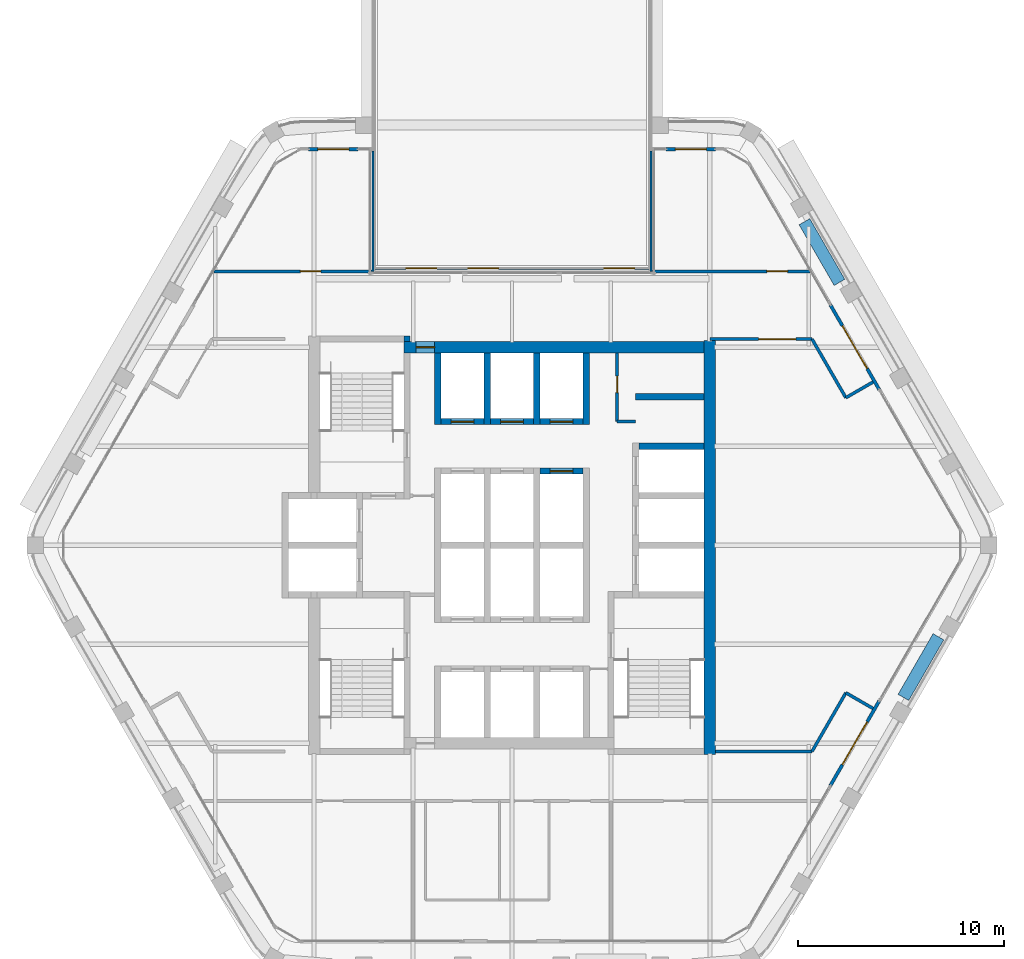
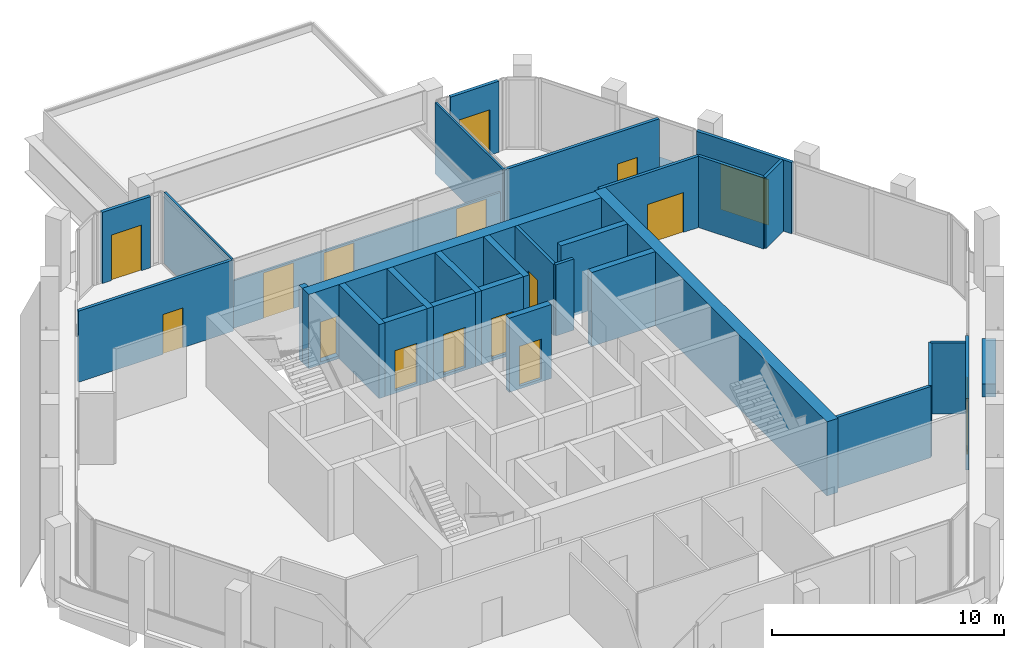
# One storey, part 12 of 16: 32 walls, 16 doors, 16 openings.
"""IFC4 building model written with IfcOpenShell, lengths in metres."""

import ifcopenshell
import ifcopenshell.guid

model = None  # the IFC model being written
_history = None  # IfcOwnerHistory: only IFC2X3 demands one
_inside = {}  # id of a spatial element -> (the spatial element, [elements in it])
_under = {}  # id of a project, library or spatial element -> (it, [spatial elements below it])
_declared = {}  # id of a project -> (the project, [libraries it declares])
_typed = {}  # id of a type object -> (the type object, [elements of that type])
_made_of = {}  # id of a material, layer set ... -> (it, [elements and type objects made of it])


def new_model(schema):
    """Start an empty IFC model of exactly this schema.

    Asked for "IFC4X3", IfcOpenShell would pick the latest addendum, in which some entities
    have other attributes; the version numbers below select the first issue.
    IFC2X3 requires an IfcOwnerHistory on every rooted entity: one is made here for all.
    """
    global model, _history
    if schema == "IFC4X3":
        model = ifcopenshell.file(schema_version=(4, 3, 0, 0))
    else:
        model = ifcopenshell.file(schema=schema)
    _inside.clear()
    _under.clear()
    _declared.clear()
    _typed.clear()
    _made_of.clear()
    _history = None
    if model.schema == "IFC2X3":
        org = make("IfcOrganization", Name="unknown")
        user = make(
            "IfcPersonAndOrganization",
            ThePerson=make("IfcPerson", FamilyName="unknown"),
            TheOrganization=org,
        )
        app = make(
            "IfcApplication",
            ApplicationDeveloper=org,
            Version="unknown",
            ApplicationFullName="unknown",
            ApplicationIdentifier="unknown",
        )
        _history = make(
            "IfcOwnerHistory",
            OwningUser=user,
            OwningApplication=app,
            ChangeAction="ADDED",
            CreationDate=0,
        )
    return model


def make(cls, **values):
    """One entity of the class cls with the attributes given. An attribute that is None is left unset."""
    return model.create_entity(
        cls, **{name: value for name, value in values.items() if value is not None}
    )


def rooted(cls, **values):
    """An entity with a GlobalId (a new one), such as an element, a storey or a relation."""
    return make(cls, GlobalId=ifcopenshell.guid.new(), OwnerHistory=_history, **values)


def si_unit(unit_type, name, prefix=None):
    """IfcSIUnit, for example si_unit("LENGTHUNIT", "METRE", prefix="MILLI")."""
    return make("IfcSIUnit", UnitType=unit_type, Prefix=prefix, Name=name)


def assignment(units):
    """IfcUnitAssignment: the units of a project."""
    return None if units is None else make("IfcUnitAssignment", Units=units)


def point(xyz):
    """IfcCartesianPoint."""
    return None if xyz is None else make("IfcCartesianPoint", Coordinates=xyz)


def direction(xyz):
    """IfcDirection."""
    return None if xyz is None else make("IfcDirection", DirectionRatios=xyz)


def frame(location, z_axis=None, x_axis=None):
    """IfcAxis2Placement3D, a coordinate frame: its origin and axes. An axis left out is left unset."""
    return make(
        "IfcAxis2Placement3D",
        Location=point(location),
        Axis=direction(z_axis),
        RefDirection=direction(x_axis),
    )


def frame_2d(location, x_axis=None):
    """IfcAxis2Placement2D, a coordinate frame in the plane: its origin and x axis."""
    return make(
        "IfcAxis2Placement2D", Location=point(location), RefDirection=direction(x_axis)
    )


def origin():
    """The frame at (0, 0, 0) with its axes left unset."""
    return frame((0.0, 0.0, 0.0))


def place(relative_to, where):
    """IfcLocalPlacement: puts the frame where relative to a parent placement (None: the world)."""
    return make(
        "IfcLocalPlacement", PlacementRelTo=relative_to, RelativePlacement=where
    )


def context(
    kind, dimensions, precision=None, world=None, true_north=None, identifier=None
):
    """IfcGeometricRepresentationContext, for example the 3D "Model" context."""
    return make(
        "IfcGeometricRepresentationContext",
        ContextIdentifier=identifier,
        ContextType=kind,
        CoordinateSpaceDimension=dimensions,
        Precision=precision,
        WorldCoordinateSystem=world,
        TrueNorth=true_north,
    )


def subcontext(parent, identifier, kind, view, scale=None):
    """IfcGeometricRepresentationSubContext, for example "Body" below "Model"."""
    return make(
        "IfcGeometricRepresentationSubContext",
        ContextIdentifier=identifier,
        ContextType=kind,
        ParentContext=parent,
        TargetScale=scale,
        TargetView=view,
    )


def project(units=None, contexts=None):
    """IfcProject with its units and contexts."""
    return rooted(
        "IfcProject",
        Name="project",
        RepresentationContexts=contexts,
        UnitsInContext=assignment(units),
    )


def spatial(cls, under=None, at=None, **own):
    """A site, building, storey or space (cls), placed at a placement, below another one or the project."""
    s = rooted(cls, ObjectPlacement=at, **own)
    if under is not None:
        _under.setdefault(under.id(), (under, []))[1].append(s)
    return s


def profile(cls, at=None, kind="AREA", **sizes):
    """A parametric profile (cls). Its sizes go by their IFC names, for example OverallWidth=200.0."""
    return make(cls, ProfileType=kind, Position=at, **sizes)


def rectangle(**sizes):
    """IfcRectangleProfileDef."""
    return profile("IfcRectangleProfileDef", **sizes)


def extrude(swept, where, along, depth):
    """IfcExtrudedAreaSolid: the profile swept, set in the frame where, extruded along a direction by depth."""
    return make(
        "IfcExtrudedAreaSolid",
        SweptArea=swept,
        Position=where,
        ExtrudedDirection=direction(along),
        Depth=depth,
    )


def shape(context_of_items, identifier, shape_type, items):
    """IfcShapeRepresentation: the items that make up one representation, for example the "Body"."""
    return make(
        "IfcShapeRepresentation",
        ContextOfItems=context_of_items,
        RepresentationIdentifier=identifier,
        RepresentationType=shape_type,
        Items=items,
    )


def material(Name=None, Category=None):
    """IfcMaterial."""
    return make("IfcMaterial", Name=Name, Category=Category)


def layer(
    of_material, thickness, ventilated=None, Name=None, Category=None, Priority=None
):
    """IfcMaterialLayer: one layer of a wall or slab, of a material (None: an air gap)."""
    return make(
        "IfcMaterialLayer",
        Material=of_material,
        LayerThickness=thickness,
        IsVentilated=ventilated,
        Name=Name,
        Category=Category,
        Priority=Priority,
    )


def layer_set(layers, Name=None):
    """IfcMaterialLayerSet."""
    return make("IfcMaterialLayerSet", MaterialLayers=layers, LayerSetName=Name)


def made_of(thing, what):
    """Note that an element or type object is made of a material, layer set ...; save() writes the relation."""
    if what is not None:
        _made_of.setdefault(what.id(), (what, []))[1].append(thing)
    return thing


def type_object(cls, material=None, **own):
    """A type object (cls), such as IfcWallType, which elements share."""
    return made_of(rooted(cls, **own), material)


def element(
    cls,
    number,
    at=None,
    inside=None,
    cuts=None,
    type_object=None,
    material=None,
    context=None,
    identifier="Body",
    shape_type=None,
    held_by="IfcProductDefinitionShape",
    body=None,
    shapes=None,
    **own,
):
    """One element of the class cls, such as IfcWall. Its Tag is "e" and its number.

    at: its placement. inside: the storey or other place that contains it. cuts: it is an
    opening in that element (IfcRelVoidsElement). A single representation is given by context,
    identifier, shape_type and body (its items); several are given by shapes. held_by: the class
    of the entity that holds the representations. save() writes the other relations.
    """
    e = rooted(cls, Tag="e%d" % number, ObjectPlacement=at, **own)
    if body is not None:
        shapes = [shape(context, identifier, shape_type, body)]
    if shapes is not None:
        e.Representation = make(held_by, Representations=shapes)
    if inside is not None:
        _inside.setdefault(inside.id(), (inside, []))[1].append(e)
    if cuts is not None:
        rooted(
            "IfcRelVoidsElement", RelatingBuildingElement=cuts, RelatedOpeningElement=e
        )
    if type_object is not None:
        _typed.setdefault(type_object.id(), (type_object, []))[1].append(e)
    return made_of(e, material)


def fill(opening, filler):
    """IfcRelFillsElement: the door or window that sits in an opening."""
    return rooted(
        "IfcRelFillsElement",
        RelatingOpeningElement=opening,
        RelatedBuildingElement=filler,
    )


def aggregate(whole, parts):
    """IfcRelAggregates: a whole, such as a stair, and the parts it consists of."""
    return rooted("IfcRelAggregates", RelatingObject=whole, RelatedObjects=parts)


def save(model, path):
    """Write the relations noted so far, then the file.

    IfcRelAggregates (storeys below a building ...), IfcRelContainedInSpatialStructure (elements
    in a storey), IfcRelDefinesByType, IfcRelAssociatesMaterial and IfcRelDeclares: one each for
    every whole, place, type object, material and project.
    """
    for whole, parts in _under.values():
        aggregate(whole, parts)
    for where, things in _inside.values():
        rooted(
            "IfcRelContainedInSpatialStructure",
            RelatedElements=things,
            RelatingStructure=where,
        )
    for kind, things in _typed.values():
        rooted("IfcRelDefinesByType", RelatedObjects=things, RelatingType=kind)
    for what, things in _made_of.values():
        rooted("IfcRelAssociatesMaterial", RelatedObjects=things, RelatingMaterial=what)
    for by, libraries in _declared.values():
        rooted("IfcRelDeclares", RelatingContext=by, RelatedDefinitions=libraries)
    model.write(path)


model = new_model("IFC4")

# Units and contexts
model_context = context("Model", 3, precision=1e-05, world=origin(), true_north=direction((0.0, 1.0)))
body_context = subcontext(model_context, "Body", "Model", "MODEL_VIEW")
ifc_project = project(units=[si_unit("LENGTHUNIT", "METRE"), si_unit("AREAUNIT", "SQUARE_METRE"), si_unit("VOLUMEUNIT", "CUBIC_METRE"), si_unit("PLANEANGLEUNIT", "RADIAN"), si_unit("MASSUNIT", "GRAM", prefix="KILO")], contexts=[model_context])

# Site, building, storey
site_placement = place(None, origin())
site = spatial("IfcSite", under=ifc_project, at=site_placement, CompositionType="ELEMENT")
building_placement = place(site_placement, origin())
building = spatial("IfcBuilding", under=site, at=building_placement, Name="Kolab Exchange Tower", CompositionType="ELEMENT")
storey_placement = place(building_placement, frame((0.0, 0.0, 269.60009765625)))
storey = spatial("IfcBuildingStorey", under=building, at=storey_placement, Name="L60", CompositionType="ELEMENT", Elevation=269.60009765625)

# Wall, opening, door
ifc_material_1 = material(Name="Concrete C50/60", Category="concrete")
ifc_layer_1 = layer(ifc_material_1, 0.550048828125)
ifc_layer_set_1 = layer_set([ifc_layer_1], Name="Concrete C50/60")
wall_type_1 = type_object("IfcWallType", Name="CORE WALL 550 C50/60", PredefinedType="SHEAR", material=ifc_layer_set_1)
wall_1_placement = place(storey_placement, frame((-5.25, 9.60009765625, -0.150146484375), z_axis=(0.0, 0.0, 1.0), x_axis=(1.0, 0.0, 0.0)))
wall_1 = element("IfcWall", 1, at=wall_1_placement, inside=storey, type_object=wall_type_1, Name="wall/L60/core/031", PredefinedType="SHEAR", context=body_context, shape_type="SweptSolid", body=[
    extrude(rectangle(XDim=14.574951171875, YDim=0.550048828125, at=frame_2d((7.28759765625, 0.0))), origin(), (0.0, 0.0, 1.0), 3.900146484375),
])
opening_1_placement = place(wall_1_placement, frame((0.60009765625, 0.0, 0.14990234375)))
opening_1 = element("IfcOpeningElement", 2, at=opening_1_placement, cuts=wall_1, Name="Opening D6-295", PredefinedType="OPENING", context=body_context, shape_type="SweptSolid", body=[
    extrude(rectangle(XDim=0.89990234375, YDim=2.10009765625, at=frame_2d((0.449951171875, 1.050048828125))), frame((0.0, 0.28515625, 0.0), z_axis=(0.0, -1.0, 0.0), x_axis=(1.0, 0.0, 0.0)), (0.0, 0.0, 1.0), 0.570068359375),
])
ifc_material_2 = material(Name="Steel S235", Category="steel")
door_type_1 = type_object("IfcDoorType", Name="CORE DOOR 900 EI 120", OperationType="SINGLE_SWING_LEFT", PredefinedType="DOOR", material=ifc_material_2)
door_1_placement = place(opening_1_placement, frame((0.89990234375, 0.0, 0.0), z_axis=(0.0, 0.0, 1.0), x_axis=(-1.0, 0.0, 0.0)))
door_1 = element("IfcDoor", 3, at=door_1_placement, inside=storey, type_object=door_type_1, Name="Core lobby door", OperationType="SINGLE_SWING_RIGHT", OverallHeight=2.10009765625, OverallWidth=0.89990234375, PredefinedType="DOOR", context=body_context, shape_type="SweptSolid", body=[
    extrude(rectangle(XDim=0.89990234375, YDim=2.10009765625, at=frame_2d((0.449951171875, 1.050048828125))), frame((0.0, 0.02490234375, 0.0), z_axis=(0.0, -1.0, 0.0), x_axis=(1.0, 0.0, 0.0)), (0.0, 0.0, 1.0), 0.050048828125),
])
fill(opening_1, door_1)

# Wall
wall_2_placement = place(storey_placement, frame((9.60009765625, -10.14990234375, -0.150146484375), z_axis=(0.0, 0.0, 1.0), x_axis=(0.0, 1.0, 0.0)))
element("IfcWall", 4, at=wall_2_placement, inside=storey, type_object=wall_type_1, Name="wall/L60/core/058", PredefinedType="SHEAR", context=body_context, shape_type="SweptSolid", body=[
    extrude(rectangle(XDim=20.074951171875, YDim=0.550048828125, at=frame_2d((10.03759765625, 0.0))), origin(), (0.0, 0.0, 1.0), 3.900146484375),
])

# Wall, opening, door
ifc_material_3 = material(Name="Aluminium EN AW-6063 T6", Category="aluminium")
ifc_layer_2 = layer(ifc_material_3, 0.159912109375)
ifc_layer_set_2 = layer_set([ifc_layer_2], Name="Aluminium EN AW-6063 T6")
wall_type_2 = type_object("IfcWallType", Name="DOOR SURROUND WALL 160 ALUMINIUM FRAMED", PredefinedType="PARTITIONING", material=ifc_layer_set_2)
wall_3_placement = place(storey_placement, frame((-9.867919921875, 19.20458984375, 0.0), z_axis=(0.0, 0.0, 1.0), x_axis=(1.0, 0.0, 0.0)))
wall_3 = element("IfcWall", 5, at=wall_3_placement, inside=storey, type_object=wall_type_2, Name="Door surround wall", PredefinedType="PARTITIONING", context=body_context, shape_type="SweptSolid", body=[
    extrude(rectangle(XDim=2.39990234375, YDim=0.159912109375, at=frame_2d((1.199951171875, 0.0))), origin(), (0.0, 0.0, 1.0), 3.75),
])
opening_2_placement = place(wall_3_placement, frame((0.449951171875, 0.0, 0.0)))
opening_2 = element("IfcOpeningElement", 6, at=opening_2_placement, cuts=wall_3, Name="Opening GD2-013", PredefinedType="OPENING", context=body_context, shape_type="SweptSolid", body=[
    extrude(rectangle(XDim=1.5, YDim=2.39990234375, at=frame_2d((0.75, 1.199951171875))), frame((0.0, 0.08984375, 0.0), z_axis=(0.0, -1.0, 0.0), x_axis=(1.0, 0.0, 0.0)), (0.0, 0.0, 1.0), 0.179931640625),
])
door_type_2 = type_object("IfcDoorType", Name="LOGGIA SLIDING GLASS DOOR 1500 X 2400", OperationType="SLIDING_TO_LEFT", PredefinedType="DOOR", material=ifc_material_3)
door_2_placement = place(opening_2_placement, origin())
door_2 = element("IfcDoor", 7, at=door_2_placement, inside=storey, type_object=door_type_2, Name="Loggia door", OperationType="DOUBLE_DOOR_SLIDING", OverallHeight=2.39990234375, OverallWidth=1.5, PredefinedType="DOOR", context=body_context, shape_type="SweptSolid", body=[
    extrude(rectangle(XDim=1.5, YDim=2.39990234375, at=frame_2d((0.75, 1.199951171875))), frame((0.0, 0.02490234375, 0.0), z_axis=(0.0, -1.0, 0.0), x_axis=(1.0, 0.0, 0.0)), (0.0, 0.0, 1.0), 0.050048828125),
])
fill(opening_2, door_2)

wall_4_placement = place(storey_placement, frame((7.47998046875, 19.20458984375, 0.0), z_axis=(0.0, 0.0, 1.0), x_axis=(1.0, 0.0, 0.0)))
wall_4 = element("IfcWall", 8, at=wall_4_placement, inside=storey, type_object=wall_type_2, Name="Door surround wall", PredefinedType="PARTITIONING", context=body_context, shape_type="SweptSolid", body=[
    extrude(rectangle(XDim=2.39990234375, YDim=0.159912109375, at=frame_2d((1.199951171875, 0.0))), origin(), (0.0, 0.0, 1.0), 3.75),
])
opening_3_placement = place(wall_4_placement, frame((0.449951171875, 0.0, 0.0)))
opening_3 = element("IfcOpeningElement", 9, at=opening_3_placement, cuts=wall_4, Name="Opening GD2-014", PredefinedType="OPENING", context=body_context, shape_type="SweptSolid", body=[
    extrude(rectangle(XDim=1.5, YDim=2.39990234375, at=frame_2d((0.75, 1.199951171875))), frame((0.0, 0.08984375, 0.0), z_axis=(0.0, -1.0, 0.0), x_axis=(1.0, 0.0, 0.0)), (0.0, 0.0, 1.0), 0.179931640625),
])
door_3_placement = place(opening_3_placement, origin())
door_3 = element("IfcDoor", 10, at=door_3_placement, inside=storey, type_object=door_type_2, Name="Loggia door", OperationType="DOUBLE_DOOR_SLIDING", OverallHeight=2.39990234375, OverallWidth=1.5, PredefinedType="DOOR", context=body_context, shape_type="SweptSolid", body=[
    extrude(rectangle(XDim=1.5, YDim=2.39990234375, at=frame_2d((0.75, 1.199951171875))), frame((0.0, 0.02490234375, 0.0), z_axis=(0.0, -1.0, 0.0), x_axis=(1.0, 0.0, 0.0)), (0.0, 0.0, 1.0), 0.050048828125),
])
fill(opening_3, door_3)

wall_5_placement = place(storey_placement, frame((15.44677734375, 11.65478515625, 0.0), z_axis=(0.0, 0.0, 1.0), x_axis=(0.499978080042, -0.866038058908, 0.0)))
wall_5 = element("IfcWall", 11, at=wall_5_placement, inside=storey, type_object=wall_type_2, Name="Door surround wall", PredefinedType="PARTITIONING", context=body_context, shape_type="SweptSolid", body=[
    extrude(rectangle(XDim=4.739990234375, YDim=0.159912109375, at=frame_2d((2.3701171875, 0.0))), origin(), (0.0, 0.0, 1.0), 3.75),
])
opening_4_placement = place(wall_5_placement, frame((1.169921875, 0.0, 0.0)))
opening_4 = element("IfcOpeningElement", 12, at=opening_4_placement, cuts=wall_5, Name="Opening GD1-090", PredefinedType="OPENING", context=body_context, shape_type="SweptSolid", body=[
    extrude(rectangle(XDim=2.39990234375, YDim=2.39990234375, at=frame_2d((1.199951171875, 1.199951171875))), frame((0.0, 0.08984375, 0.0), z_axis=(0.0, -1.0, 0.0), x_axis=(1.0, 0.0, 0.0)), (0.0, 0.0, 1.0), 0.179931640625),
])
door_type_3 = type_object("IfcDoorType", Name="LOGGIA SLIDING GLASS DOOR 2400 X 2400", OperationType="DOUBLE_DOOR_SINGLE_SWING", PredefinedType="DOOR", material=ifc_material_3)
door_4_placement = place(opening_4_placement, origin())
door_4 = element("IfcDoor", 13, at=door_4_placement, inside=storey, type_object=door_type_3, Name="Loggia door", OperationType="DOUBLE_DOOR_SLIDING", OverallHeight=2.39990234375, OverallWidth=2.39990234375, PredefinedType="DOOR", context=body_context, shape_type="SweptSolid", body=[
    extrude(rectangle(XDim=2.39990234375, YDim=2.39990234375, at=frame_2d((1.199951171875, 1.199951171875))), frame((0.0, 0.02490234375, 0.0), z_axis=(0.0, -1.0, 0.0), x_axis=(1.0, 0.0, 0.0)), (0.0, 0.0, 1.0), 0.050048828125),
])
fill(opening_4, door_4)

wall_6_placement = place(storey_placement, frame((17.816650390625, -7.5498046875, 0.0), z_axis=(0.0, 0.0, 1.0), x_axis=(-0.499978080042, -0.866038058908, 0.0)))
wall_6 = element("IfcWall", 14, at=wall_6_placement, inside=storey, type_object=wall_type_2, Name="Door surround wall", PredefinedType="PARTITIONING", context=body_context, shape_type="SweptSolid", body=[
    extrude(rectangle(XDim=4.739990234375, YDim=0.159912109375, at=frame_2d((2.3701171875, 0.0))), origin(), (0.0, 0.0, 1.0), 3.75),
])
opening_5_placement = place(wall_6_placement, frame((1.169921875, 0.0, 0.0)))
opening_5 = element("IfcOpeningElement", 15, at=opening_5_placement, cuts=wall_6, Name="Opening GD1-091", PredefinedType="OPENING", context=body_context, shape_type="SweptSolid", body=[
    extrude(rectangle(XDim=2.39990234375, YDim=2.39990234375, at=frame_2d((1.199951171875, 1.199951171875))), frame((0.0, 0.08984375, 0.0), z_axis=(0.0, -1.0, 0.0), x_axis=(1.0, 0.0, 0.0)), (0.0, 0.0, 1.0), 0.179931640625),
])
door_5_placement = place(opening_5_placement, origin())
door_5 = element("IfcDoor", 16, at=door_5_placement, inside=storey, type_object=door_type_3, Name="Loggia door", OperationType="DOUBLE_DOOR_SLIDING", OverallHeight=2.39990234375, OverallWidth=2.39990234375, PredefinedType="DOOR", context=body_context, shape_type="SweptSolid", body=[
    extrude(rectangle(XDim=2.39990234375, YDim=2.39990234375, at=frame_2d((1.199951171875, 1.199951171875))), frame((0.0, 0.02490234375, 0.0), z_axis=(0.0, -1.0, 0.0), x_axis=(1.0, 0.0, 0.0)), (0.0, 0.0, 1.0), 0.050048828125),
])
fill(opening_5, door_5)

ifc_layer_3 = layer(ifc_material_1, 0.300048828125)
ifc_layer_set_3 = layer_set([ifc_layer_3], Name="Concrete C50/60")
wall_type_3 = type_object("IfcWallType", Name="LIFT SHAFT WALL 300 C50/60", PredefinedType="STANDARD", material=ifc_layer_set_3)
wall_7_placement = place(storey_placement, frame((1.35009765625, 3.60009765625, -0.150146484375), z_axis=(0.0, 0.0, 1.0), x_axis=(1.0, 0.0, 0.0)))
wall_7 = element("IfcWall", 17, at=wall_7_placement, inside=storey, type_object=wall_type_3, Name="wall/L60/core/025", PredefinedType="STANDARD", context=body_context, shape_type="SweptSolid", body=[
    extrude(rectangle(XDim=2.099853515625, YDim=0.300048828125, at=frame_2d((1.0498046875, 0.0))), origin(), (0.0, 0.0, 1.0), 3.900146484375),
])
opening_6_placement = place(wall_7_placement, frame((0.5, 0.0, 0.14990234375)))
opening_6 = element("IfcOpeningElement", 18, at=opening_6_placement, cuts=wall_7, Name="Opening LD1-117", PredefinedType="OPENING", context=body_context, shape_type="SweptSolid", body=[
    extrude(rectangle(XDim=1.10009765625, YDim=2.10009765625, at=frame_2d((0.550048828125, 1.050048828125))), frame((0.0, 0.16015625, 0.0), z_axis=(0.0, -1.0, 0.0), x_axis=(1.0, 0.0, 0.0)), (0.0, 0.0, 1.0), 0.320068359375),
])
ifc_material_4 = material(Name="Stainless steel 316", Category="steel")
door_type_4 = type_object("IfcDoorType", Name="LANDING DOOR 1100 PASSENGER", OperationType="DOUBLE_DOOR_SLIDING", PredefinedType="DOOR", material=ifc_material_4)
door_6_placement = place(opening_6_placement, origin())
door_6 = element("IfcDoor", 19, at=door_6_placement, inside=storey, type_object=door_type_4, Name="Landing door HR6", OperationType="DOUBLE_DOOR_SLIDING", OverallHeight=2.10009765625, OverallWidth=1.10009765625, PredefinedType="DOOR", context=body_context, shape_type="SweptSolid", body=[
    extrude(rectangle(XDim=1.10009765625, YDim=2.10009765625, at=frame_2d((0.550048828125, 1.050048828125))), frame((0.0, 0.02490234375, 0.0), z_axis=(0.0, -1.0, 0.0), x_axis=(1.0, 0.0, 0.0)), (0.0, 0.0, 1.0), 0.050048828125),
])
fill(opening_6, door_6)

# Wall
wall_8_placement = place(storey_placement, frame((6.14990234375, 4.800048828125, -0.150146484375), z_axis=(0.0, 0.0, 1.0), x_axis=(1.0, 0.0, 0.0)))
element("IfcWall", 20, at=wall_8_placement, inside=storey, type_object=wall_type_3, Name="wall/L60/core/026", PredefinedType="STANDARD", context=body_context, shape_type="SweptSolid", body=[
    extrude(rectangle(XDim=3.175048828125, YDim=0.300048828125, at=frame_2d((1.58740234375, 0.0))), origin(), (0.0, 0.0, 1.0), 3.900146484375),
])

# Wall, opening, door
wall_9_placement = place(storey_placement, frame((-3.449951171875, 6.0, -0.150146484375), z_axis=(0.0, 0.0, 1.0), x_axis=(1.0, 0.0, 0.0)))
wall_9 = element("IfcWall", 21, at=wall_9_placement, inside=storey, type_object=wall_type_3, Name="wall/L60/core/027", PredefinedType="STANDARD", context=body_context, shape_type="SweptSolid", body=[
    extrude(rectangle(XDim=2.099853515625, YDim=0.300048828125, at=frame_2d((1.0498046875, 0.0))), origin(), (0.0, 0.0, 1.0), 3.900146484375),
])
opening_7_placement = place(wall_9_placement, frame((0.5, 0.0, 0.14990234375)))
opening_7 = element("IfcOpeningElement", 22, at=opening_7_placement, cuts=wall_9, Name="Opening LD1-109", PredefinedType="OPENING", context=body_context, shape_type="SweptSolid", body=[
    extrude(rectangle(XDim=1.10009765625, YDim=2.10009765625, at=frame_2d((0.550048828125, 1.050048828125))), frame((0.0, 0.16015625, 0.0), z_axis=(0.0, -1.0, 0.0), x_axis=(1.0, 0.0, 0.0)), (0.0, 0.0, 1.0), 0.320068359375),
])
door_7_placement = place(opening_7_placement, origin())
door_7 = element("IfcDoor", 23, at=door_7_placement, inside=storey, type_object=door_type_4, Name="Landing door HR1", OperationType="DOUBLE_DOOR_SLIDING", OverallHeight=2.10009765625, OverallWidth=1.10009765625, PredefinedType="DOOR", context=body_context, shape_type="SweptSolid", body=[
    extrude(rectangle(XDim=1.10009765625, YDim=2.10009765625, at=frame_2d((0.550048828125, 1.050048828125))), frame((0.0, 0.02490234375, 0.0), z_axis=(0.0, -1.0, 0.0), x_axis=(1.0, 0.0, 0.0)), (0.0, 0.0, 1.0), 0.050048828125),
])
fill(opening_7, door_7)

wall_10_placement = place(storey_placement, frame((-1.050048828125, 6.0, -0.150146484375), z_axis=(0.0, 0.0, 1.0), x_axis=(1.0, 0.0, 0.0)))
wall_10 = element("IfcWall", 24, at=wall_10_placement, inside=storey, type_object=wall_type_3, Name="wall/L60/core/028", PredefinedType="STANDARD", context=body_context, shape_type="SweptSolid", body=[
    extrude(rectangle(XDim=2.10009765625, YDim=0.300048828125, at=frame_2d((1.050048828125, 0.0))), origin(), (0.0, 0.0, 1.0), 3.900146484375),
])
opening_8_placement = place(wall_10_placement, frame((0.5, 0.0, 0.14990234375)))
opening_8 = element("IfcOpeningElement", 25, at=opening_8_placement, cuts=wall_10, Name="Opening LD1-113", PredefinedType="OPENING", context=body_context, shape_type="SweptSolid", body=[
    extrude(rectangle(XDim=1.10009765625, YDim=2.10009765625, at=frame_2d((0.550048828125, 1.050048828125))), frame((0.0, 0.16015625, 0.0), z_axis=(0.0, -1.0, 0.0), x_axis=(1.0, 0.0, 0.0)), (0.0, 0.0, 1.0), 0.320068359375),
])
door_8_placement = place(opening_8_placement, origin())
door_8 = element("IfcDoor", 26, at=door_8_placement, inside=storey, type_object=door_type_4, Name="Landing door HR2", OperationType="DOUBLE_DOOR_SLIDING", OverallHeight=2.10009765625, OverallWidth=1.10009765625, PredefinedType="DOOR", context=body_context, shape_type="SweptSolid", body=[
    extrude(rectangle(XDim=1.10009765625, YDim=2.10009765625, at=frame_2d((0.550048828125, 1.050048828125))), frame((0.0, 0.02490234375, 0.0), z_axis=(0.0, -1.0, 0.0), x_axis=(1.0, 0.0, 0.0)), (0.0, 0.0, 1.0), 0.050048828125),
])
fill(opening_8, door_8)

wall_11_placement = place(storey_placement, frame((1.35009765625, 6.0, -0.150146484375), z_axis=(0.0, 0.0, 1.0), x_axis=(1.0, 0.0, 0.0)))
wall_11 = element("IfcWall", 27, at=wall_11_placement, inside=storey, type_object=wall_type_3, Name="wall/L60/core/029", PredefinedType="STANDARD", context=body_context, shape_type="SweptSolid", body=[
    extrude(rectangle(XDim=2.099853515625, YDim=0.300048828125, at=frame_2d((1.0498046875, 0.0))), origin(), (0.0, 0.0, 1.0), 3.900146484375),
])
opening_9_placement = place(wall_11_placement, frame((0.5, 0.0, 0.14990234375)))
opening_9 = element("IfcOpeningElement", 28, at=opening_9_placement, cuts=wall_11, Name="Opening LD1-114", PredefinedType="OPENING", context=body_context, shape_type="SweptSolid", body=[
    extrude(rectangle(XDim=1.10009765625, YDim=2.10009765625, at=frame_2d((0.550048828125, 1.050048828125))), frame((0.0, 0.16015625, 0.0), z_axis=(0.0, -1.0, 0.0), x_axis=(1.0, 0.0, 0.0)), (0.0, 0.0, 1.0), 0.320068359375),
])
door_9_placement = place(opening_9_placement, origin())
door_9 = element("IfcDoor", 29, at=door_9_placement, inside=storey, type_object=door_type_4, Name="Landing door HR3", OperationType="DOUBLE_DOOR_SLIDING", OverallHeight=2.10009765625, OverallWidth=1.10009765625, PredefinedType="DOOR", context=body_context, shape_type="SweptSolid", body=[
    extrude(rectangle(XDim=1.10009765625, YDim=2.10009765625, at=frame_2d((0.550048828125, 1.050048828125))), frame((0.0, 0.02490234375, 0.0), z_axis=(0.0, -1.0, 0.0), x_axis=(1.0, 0.0, 0.0)), (0.0, 0.0, 1.0), 0.050048828125),
])
fill(opening_9, door_9)

# Walls
wall_12_placement = place(storey_placement, frame((6.0, 7.199951171875, -0.150146484375), z_axis=(0.0, 0.0, 1.0), x_axis=(1.0, 0.0, 0.0)))
element("IfcWall", 30, at=wall_12_placement, inside=storey, type_object=wall_type_3, Name="wall/L60/core/030", PredefinedType="STANDARD", context=body_context, shape_type="SweptSolid", body=[
    extrude(rectangle(XDim=3.324951171875, YDim=0.300048828125, at=frame_2d((1.66259765625, 0.0))), origin(), (0.0, 0.0, 1.0), 3.900146484375),
])
for number, where, z_axis, x_axis, name in (
    (31, (-3.60009765625, 5.85009765625, -0.150146484375), (0.0, 0.0, 1.0), (0.0, 1.0, 0.0), "wall/L60/core/045"),
    (32, (-1.199951171875, 5.85009765625, -0.150146484375), (0.0, 0.0, 1.0), (0.0, 1.0, 0.0), "wall/L60/core/048"),
    (33, (1.199951171875, 5.85009765625, -0.150146484375), (0.0, 0.0, 1.0), (0.0, 1.0, 0.0), "wall/L60/core/051"),
    (34, (3.60009765625, 5.85009765625, -0.150146484375), (0.0, 0.0, 1.0), (0.0, 1.0, 0.0), "wall/L60/core/054"),
):
    element("IfcWall", number, at=place(storey_placement, frame(where, z_axis=z_axis, x_axis=x_axis)), inside=storey, type_object=wall_type_3, Name=name, PredefinedType="STANDARD", context=body_context, shape_type="SweptSolid", body=[
        extrude(rectangle(XDim=3.474853515625, YDim=0.300048828125, at=frame_2d((1.7373046875, 0.0))), origin(), (0.0, 0.0, 1.0), 3.900146484375),
    ])
ifc_material_5 = material(Name="Gypsum board", Category="gypsum")
ifc_layer_4 = layer(ifc_material_5, 0.10009765625)
ifc_layer_set_4 = layer_set([ifc_layer_4], Name="Gypsum board")
wall_type_4 = type_object("IfcWallType", Name="PARTITION 100", PredefinedType="PARTITIONING", material=ifc_layer_set_4)
for number, where, z_axis, x_axis, name in (
    (35, (6.75, 13.28466796875, 0.0), (0.0, 0.0, 1.0), (0.0, 1.0, 0.0), "Partition 000"),
    (36, (-6.75, 13.28466796875, 0.0), (0.0, 0.0, 1.0), (0.0, 1.0, 0.0), "Partition 007"),
):
    element("IfcWall", number, at=place(storey_placement, frame(where, z_axis=z_axis, x_axis=x_axis)), inside=storey, type_object=wall_type_4, Name=name, PredefinedType="PARTITIONING", context=body_context, shape_type="SweptSolid", body=[
        extrude(rectangle(XDim=5.829833984375, YDim=0.10009765625, at=frame_2d((2.9150390625, 0.0))), origin(), (0.0, 0.0, 1.0), 3.75),
    ])

# Wall, opening, door
ifc_layer_5 = layer(ifc_material_5, 0.14990234375)
ifc_layer_set_5 = layer_set([ifc_layer_5], Name="Gypsum board")
wall_type_5 = type_object("IfcWallType", Name="PARTITION 150 FIRE-RATED", PredefinedType="PARTITIONING", material=ifc_layer_set_5)
wall_13_placement = place(storey_placement, frame((5.10009765625, 6.0, 0.0), z_axis=(0.0, 0.0, 1.0), x_axis=(0.0, 1.0, 0.0)))
wall_13 = element("IfcWall", 37, at=wall_13_placement, inside=storey, type_object=wall_type_5, Name="Partition 001", PredefinedType="PARTITIONING", context=body_context, shape_type="SweptSolid", body=[
    extrude(rectangle(XDim=3.324951171875, YDim=0.14990234375, at=frame_2d((1.66259765625, 0.0))), origin(), (0.0, 0.0, 1.0), 3.75),
])
opening_10_placement = place(wall_13_placement, frame((1.39990234375, 0.0, 0.0)))
opening_10 = element("IfcOpeningElement", 38, at=opening_10_placement, cuts=wall_13, Name="Opening D7-042", PredefinedType="OPENING", context=body_context, shape_type="SweptSolid", body=[
    extrude(rectangle(XDim=0.800048828125, YDim=2.10009765625, at=frame_2d((0.39990234375, 1.050048828125))), frame((0.0, 0.0849609375, 0.0), z_axis=(0.0, -1.0, 0.0), x_axis=(1.0, 0.0, 0.0)), (0.0, 0.0, 1.0), 0.169921875),
])
door_type_5 = type_object("IfcDoorType", Name="FLUSH DOOR 800 FD60", OperationType="SINGLE_SWING_LEFT", PredefinedType="DOOR", material=ifc_material_2)
door_10_placement = place(opening_10_placement, frame((0.800048828125, 0.0, 0.0), z_axis=(0.0, 0.0, 1.0), x_axis=(-1.0, 0.0, 0.0)))
door_10 = element("IfcDoor", 39, at=door_10_placement, inside=storey, type_object=door_type_5, Name="Door L60-023", OperationType="SINGLE_SWING_LEFT", OverallHeight=2.10009765625, OverallWidth=0.800048828125, PredefinedType="DOOR", context=body_context, shape_type="SweptSolid", body=[
    extrude(rectangle(XDim=0.800048828125, YDim=2.10009765625, at=frame_2d((0.39990234375, 1.050048828125))), frame((0.0, 0.02490234375, 0.0), z_axis=(0.0, -1.0, 0.0), x_axis=(1.0, 0.0, 0.0)), (0.0, 0.0, 1.0), 0.050048828125),
])
fill(opening_10, door_10)

# Walls
for number, where, z_axis, x_axis, name in (
    (40, (14.5546875, 10.0, 0.0), (0.0, 0.0, 1.0), (0.499954196102, -0.866051847062, 0.0), "Partition 009"),
    (41, (14.5546875, -10.0, 0.0), (0.0, 0.0, 1.0), (0.499954196102, 0.866051847062, 0.0), "Partition 010"),
):
    element("IfcWall", number, at=place(storey_placement, frame(where, z_axis=z_axis, x_axis=x_axis)), inside=storey, type_object=wall_type_5, Name=name, PredefinedType="PARTITIONING", context=body_context, shape_type="SweptSolid", body=[
        extrude(rectangle(XDim=3.282958984375, YDim=0.14990234375, at=frame_2d((1.6416015625, 0.0))), origin(), (0.0, 0.0, 1.0), 3.75),
    ])
for number, where, z_axis, x_axis, name in (
    (42, (16.196044921875, -7.15673828125, 0.0), (0.0, 0.0, 1.0), (0.865960906633, -0.500111695708, 0.0), "Partition 013"),
    (43, (16.196044921875, 7.15673828125, 0.0), (0.0, 0.0, 1.0), (0.865960906633, 0.500111695708, 0.0), "Partition 014"),
):
    element("IfcWall", number, at=place(storey_placement, frame(where, z_axis=z_axis, x_axis=x_axis)), inside=storey, type_object=wall_type_5, Name=name, PredefinedType="PARTITIONING", context=body_context, shape_type="SweptSolid", body=[
        extrude(rectangle(XDim=1.520263671875, YDim=0.14990234375, at=frame_2d((0.76025390625, 0.0))), origin(), (0.0, 0.0, 1.0), 3.75),
    ])
wall_14_placement = place(storey_placement, frame((9.875, -10.0, 0.0), z_axis=(0.0, 0.0, 1.0), x_axis=(1.0, 0.0, 0.0)))
element("IfcWall", 44, at=wall_14_placement, inside=storey, type_object=wall_type_5, Name="Partition 019", PredefinedType="PARTITIONING", context=body_context, shape_type="SweptSolid", body=[
    extrude(rectangle(XDim=4.6796875, YDim=0.14990234375, at=frame_2d((2.33984375, 0.0))), origin(), (0.0, 0.0, 1.0), 3.75),
])
wall_15_placement = place(storey_placement, frame((5.10009765625, 6.0, 0.0), z_axis=(0.0, 0.0, 1.0), x_axis=(1.0, 0.0, 0.0)))
element("IfcWall", 45, at=wall_15_placement, inside=storey, type_object=wall_type_5, Name="Partition 021", PredefinedType="PARTITIONING", context=body_context, shape_type="SweptSolid", body=[
    extrude(rectangle(XDim=0.89990234375, YDim=0.14990234375, at=frame_2d((0.449951171875, 0.0))), origin(), (0.0, 0.0, 1.0), 3.75),
])

# Wall, opening, door
wall_16_placement = place(storey_placement, frame((9.60009765625, 10.0, 0.0), z_axis=(0.0, 0.0, 1.0), x_axis=(1.0, 0.0, 0.0)))
wall_16 = element("IfcWall", 46, at=wall_16_placement, inside=storey, type_object=wall_type_5, Name="Partition 023", PredefinedType="PARTITIONING", context=body_context, shape_type="SweptSolid", body=[
    extrude(rectangle(XDim=4.95458984375, YDim=0.14990234375, at=frame_2d((2.477294921875, 0.0))), origin(), (0.0, 0.0, 1.0), 3.75),
])
opening_11_placement = place(wall_16_placement, frame((2.366455078125, 0.0, 0.0)))
opening_11 = element("IfcOpeningElement", 47, at=opening_11_placement, cuts=wall_16, Name="Opening D2-074", PredefinedType="OPENING", context=body_context, shape_type="SweptSolid", body=[
    extrude(rectangle(XDim=1.800048828125, YDim=2.10009765625, at=frame_2d((0.89990234375, 1.050048828125))), frame((0.0, 0.0849609375, 0.0), z_axis=(0.0, -1.0, 0.0), x_axis=(1.0, 0.0, 0.0)), (0.0, 0.0, 1.0), 0.169921875),
])
door_type_6 = type_object("IfcDoorType", Name="DOUBLE DOOR 1800 FD60", OperationType="DOUBLE_DOOR_SINGLE_SWING", PredefinedType="DOOR", material=ifc_material_2)
door_11_placement = place(opening_11_placement, frame((1.800048828125, 0.0, 0.0), z_axis=(0.0, 0.0, 1.0), x_axis=(-1.0, 0.0, 0.0)))
door_11 = element("IfcDoor", 48, at=door_11_placement, inside=storey, type_object=door_type_6, Name="Door L60-034", OperationType="SINGLE_SWING_RIGHT", OverallHeight=2.10009765625, OverallWidth=1.800048828125, PredefinedType="DOOR", context=body_context, shape_type="SweptSolid", body=[
    extrude(rectangle(XDim=1.800048828125, YDim=2.10009765625, at=frame_2d((0.89990234375, 1.050048828125))), frame((0.0, 0.02490234375, 0.0), z_axis=(0.0, -1.0, 0.0), x_axis=(1.0, 0.0, 0.0)), (0.0, 0.0, 1.0), 0.050048828125),
])
fill(opening_11, door_11)

wall_17_placement = place(storey_placement, frame((-14.45947265625, 13.28466796875, 0.0), z_axis=(0.0, 0.0, 1.0), x_axis=(1.0, 0.0, 0.0)))
wall_17 = element("IfcWall", 49, at=wall_17_placement, inside=storey, type_object=wall_type_5, Name="Partition 024", PredefinedType="PARTITIONING", context=body_context, shape_type="SweptSolid", body=[
    extrude(rectangle(XDim=7.70947265625, YDim=0.14990234375, at=frame_2d((3.854736328125, 0.0))), origin(), (0.0, 0.0, 1.0), 3.75),
])
opening_12_placement = place(wall_17_placement, frame((4.190185546875, 0.0, 0.0)))
opening_12 = element("IfcOpeningElement", 50, at=opening_12_placement, cuts=wall_17, Name="Opening D1-722", PredefinedType="OPENING", context=body_context, shape_type="SweptSolid", body=[
    extrude(rectangle(XDim=1.0, YDim=2.10009765625, at=frame_2d((0.5, 1.050048828125))), frame((0.0, 0.0849609375, 0.0), z_axis=(0.0, -1.0, 0.0), x_axis=(1.0, 0.0, 0.0)), (0.0, 0.0, 1.0), 0.169921875),
])
door_type_7 = type_object("IfcDoorType", Name="FLUSH DOOR 1000 FD60", OperationType="SINGLE_SWING_LEFT", PredefinedType="DOOR", material=ifc_material_2)
door_12_placement = place(opening_12_placement, origin())
door_12 = element("IfcDoor", 51, at=door_12_placement, inside=storey, type_object=door_type_7, Name="Door L60-029", OperationType="SINGLE_SWING_RIGHT", OverallHeight=2.10009765625, OverallWidth=1.0, PredefinedType="DOOR", context=body_context, shape_type="SweptSolid", body=[
    extrude(rectangle(XDim=1.0, YDim=2.10009765625, at=frame_2d((0.5, 1.050048828125))), frame((0.0, 0.02490234375, 0.0), z_axis=(0.0, -1.0, 0.0), x_axis=(1.0, 0.0, 0.0)), (0.0, 0.0, 1.0), 0.050048828125),
])
fill(opening_12, door_12)

wall_18_placement = place(storey_placement, frame((6.75, 13.28466796875, 0.0), z_axis=(0.0, 0.0, 1.0), x_axis=(1.0, 0.0, 0.0)))
wall_18 = element("IfcWall", 52, at=wall_18_placement, inside=storey, type_object=wall_type_5, Name="Partition 025", PredefinedType="PARTITIONING", context=body_context, shape_type="SweptSolid", body=[
    extrude(rectangle(XDim=7.70947265625, YDim=0.14990234375, at=frame_2d((3.854736328125, 0.0))), origin(), (0.0, 0.0, 1.0), 3.75),
])
opening_13_placement = place(wall_18_placement, frame((5.618408203125, 0.0, 0.0)))
opening_13 = element("IfcOpeningElement", 53, at=opening_13_placement, cuts=wall_18, Name="Opening D1-723", PredefinedType="OPENING", context=body_context, shape_type="SweptSolid", body=[
    extrude(rectangle(XDim=1.0, YDim=2.10009765625, at=frame_2d((0.5, 1.050048828125))), frame((0.0, 0.0849609375, 0.0), z_axis=(0.0, -1.0, 0.0), x_axis=(1.0, 0.0, 0.0)), (0.0, 0.0, 1.0), 0.169921875),
])
door_13_placement = place(opening_13_placement, origin())
door_13 = element("IfcDoor", 54, at=door_13_placement, inside=storey, type_object=door_type_7, Name="Door L60-030", OperationType="SINGLE_SWING_RIGHT", OverallHeight=2.10009765625, OverallWidth=1.0, PredefinedType="DOOR", context=body_context, shape_type="SweptSolid", body=[
    extrude(rectangle(XDim=1.0, YDim=2.10009765625, at=frame_2d((0.5, 1.050048828125))), frame((0.0, 0.02490234375, 0.0), z_axis=(0.0, -1.0, 0.0), x_axis=(1.0, 0.0, 0.0)), (0.0, 0.0, 1.0), 0.050048828125),
])
fill(opening_13, door_13)

# Walls
ifc_material_6 = material(Name="Granite facing", Category="masonry")
ifc_layer_6 = layer(ifc_material_6, 0.0400390625)
ifc_material_7 = material(Name="Concrete C40/50 precast", Category="concrete")
ifc_layer_7 = layer(ifc_material_7, 0.56005859375)
ifc_layer_set_6 = layer_set([ifc_layer_6, ifc_layer_7], Name="Concrete C40/50 precast")
wall_type_6 = type_object("IfcWallType", Name="PLANTER BOX 600 X 700 SOIL DEPTH 550", PredefinedType="USERDEFINED", material=ifc_layer_set_6)
wall_19_placement = place(storey_placement, frame((14.18701171875, 15.696533203125, 0.0), z_axis=(0.0, 0.0, 1.0), x_axis=(0.499977295307, -0.866038511948, 0.0)))
element("IfcWall", 55, at=wall_19_placement, inside=storey, type_object=wall_type_6, Name="Planter", ObjectType="PLANTER", PredefinedType="USERDEFINED", context=body_context, shape_type="SweptSolid", body=[
    extrude(rectangle(XDim=3.400146484375, YDim=0.60009765625, at=frame_2d((1.7001953125, 0.0))), origin(), (0.0, 0.0, 1.0), 0.699951171875),
])
wall_20_placement = place(storey_placement, frame((20.68701171875, -4.438232421875, 0.0), z_axis=(0.0, 0.0, 1.0), x_axis=(-0.500008388397, -0.866020560687, 0.0)))
element("IfcWall", 56, at=wall_20_placement, inside=storey, type_object=wall_type_6, Name="Planter", ObjectType="PLANTER", PredefinedType="USERDEFINED", context=body_context, shape_type="SweptSolid", body=[
    extrude(rectangle(XDim=3.39990234375, YDim=0.60009765625, at=frame_2d((1.699951171875, 0.0))), origin(), (0.0, 0.0, 1.0), 0.699951171875),
])

# Wall, openings, doors
ifc_material_8 = material(Name="Structural glass, two-ply", Category="glass")
ifc_layer_8 = layer(ifc_material_8, 0.10009765625)
ifc_layer_set_7 = layer_set([ifc_layer_8], Name="Structural glass, two-ply")
wall_type_7 = type_object("IfcWallType", Name="SKY POOL GLASS WALL 100", PredefinedType="PARAPET", material=ifc_layer_set_7)
wall_21_placement = place(storey_placement, frame((6.64990234375, 13.4345703125, 0.0), z_axis=(0.0, 0.0, 1.0), x_axis=(-1.0, 0.0, 0.0)))
wall_21 = element("IfcWall", 57, at=wall_21_placement, inside=storey, type_object=wall_type_7, Name="Sky pool glass wall", PredefinedType="PARAPET", context=body_context, shape_type="SweptSolid", body=[
    extrude(rectangle(XDim=13.2998046875, YDim=0.10009765625, at=frame_2d((6.64990234375, 0.0))), origin(), (0.0, 0.0, 1.0), 2.5),
])
opening_14_placement = place(wall_21_placement, frame((10.300048828125, 0.0, 0.0)))
opening_14 = element("IfcOpeningElement", 58, at=opening_14_placement, cuts=wall_21, Name="Opening GD2-015", PredefinedType="OPENING", context=body_context, shape_type="SweptSolid", body=[
    extrude(rectangle(XDim=1.5, YDim=2.39990234375, at=frame_2d((0.75, 1.199951171875))), frame((0.0, 0.06005859375, 0.0), z_axis=(0.0, -1.0, 0.0), x_axis=(1.0, 0.0, 0.0)), (0.0, 0.0, 1.0), 0.1201171875),
])
opening_15_placement = place(wall_21_placement, frame((7.300048828125, 0.0, 0.0)))
opening_15 = element("IfcOpeningElement", 59, at=opening_15_placement, cuts=wall_21, Name="Opening GD2-016", PredefinedType="OPENING", context=body_context, shape_type="SweptSolid", body=[
    extrude(rectangle(XDim=1.5, YDim=2.39990234375, at=frame_2d((0.75, 1.199951171875))), frame((0.0, 0.06005859375, 0.0), z_axis=(0.0, -1.0, 0.0), x_axis=(1.0, 0.0, 0.0)), (0.0, 0.0, 1.0), 0.1201171875),
])
opening_16_placement = place(wall_21_placement, frame((0.699951171875, 0.0, 0.0)))
opening_16 = element("IfcOpeningElement", 60, at=opening_16_placement, cuts=wall_21, Name="Opening GD2-017", PredefinedType="OPENING", context=body_context, shape_type="SweptSolid", body=[
    extrude(rectangle(XDim=1.5, YDim=2.39990234375, at=frame_2d((0.75, 1.199951171875))), frame((0.0, 0.06005859375, 0.0), z_axis=(0.0, -1.0, 0.0), x_axis=(1.0, 0.0, 0.0)), (0.0, 0.0, 1.0), 0.1201171875),
])
door_14_placement = place(opening_14_placement, origin())
door_14 = element("IfcDoor", 61, at=door_14_placement, inside=storey, type_object=door_type_2, Name="Pool hall door", OperationType="DOUBLE_DOOR_SLIDING", OverallHeight=2.39990234375, OverallWidth=1.5, PredefinedType="DOOR", context=body_context, shape_type="SweptSolid", body=[
    extrude(rectangle(XDim=1.5, YDim=2.39990234375, at=frame_2d((0.75, 1.199951171875))), frame((0.0, 0.02490234375, 0.0), z_axis=(0.0, -1.0, 0.0), x_axis=(1.0, 0.0, 0.0)), (0.0, 0.0, 1.0), 0.050048828125),
])
fill(opening_14, door_14)
door_15_placement = place(opening_15_placement, origin())
door_15 = element("IfcDoor", 62, at=door_15_placement, inside=storey, type_object=door_type_2, Name="Pool hall door", OperationType="DOUBLE_DOOR_SLIDING", OverallHeight=2.39990234375, OverallWidth=1.5, PredefinedType="DOOR", context=body_context, shape_type="SweptSolid", body=[
    extrude(rectangle(XDim=1.5, YDim=2.39990234375, at=frame_2d((0.75, 1.199951171875))), frame((0.0, 0.02490234375, 0.0), z_axis=(0.0, -1.0, 0.0), x_axis=(1.0, 0.0, 0.0)), (0.0, 0.0, 1.0), 0.050048828125),
])
fill(opening_15, door_15)
door_16_placement = place(opening_16_placement, origin())
door_16 = element("IfcDoor", 63, at=door_16_placement, inside=storey, type_object=door_type_2, Name="Pool hall door", OperationType="DOUBLE_DOOR_SLIDING", OverallHeight=2.39990234375, OverallWidth=1.5, PredefinedType="DOOR", context=body_context, shape_type="SweptSolid", body=[
    extrude(rectangle(XDim=1.5, YDim=2.39990234375, at=frame_2d((0.75, 1.199951171875))), frame((0.0, 0.02490234375, 0.0), z_axis=(0.0, -1.0, 0.0), x_axis=(1.0, 0.0, 0.0)), (0.0, 0.0, 1.0), 0.050048828125),
])
fill(opening_16, door_16)

# Wall
ifc_layer_9 = layer(ifc_material_1, 0.300048828125)
ifc_layer_set_8 = layer_set([ifc_layer_9], Name="Concrete C50/60")
wall_type_8 = type_object("IfcWallType", Name="STAIR ENCLOSURE WALL 300 C50/60", PredefinedType="STANDARD", material=ifc_layer_set_8)
wall_22_placement = place(storey_placement, frame((-5.10009765625, 9.875, -0.150146484375), z_axis=(0.0, 0.0, 1.0), x_axis=(0.0, 1.0, 0.0)))
element("IfcWall", 64, at=wall_22_placement, inside=storey, type_object=wall_type_8, Name="wall/L60/core/042", PredefinedType="STANDARD", context=body_context, shape_type="SweptSolid", body=[
    extrude(rectangle(XDim=0.27490234375, YDim=0.300048828125, at=frame_2d((0.137451171875, 0.0))), origin(), (0.0, 0.0, 1.0), 3.900146484375),
])

save(model, "model.ifc")
